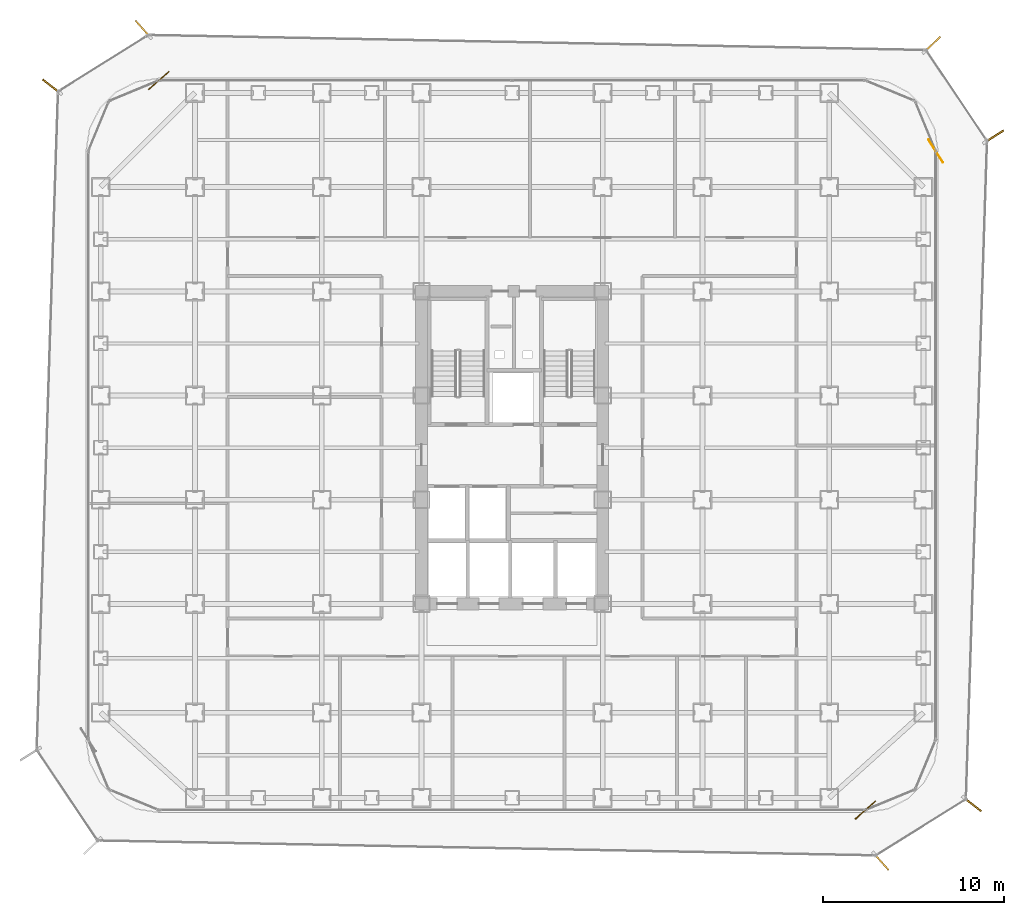
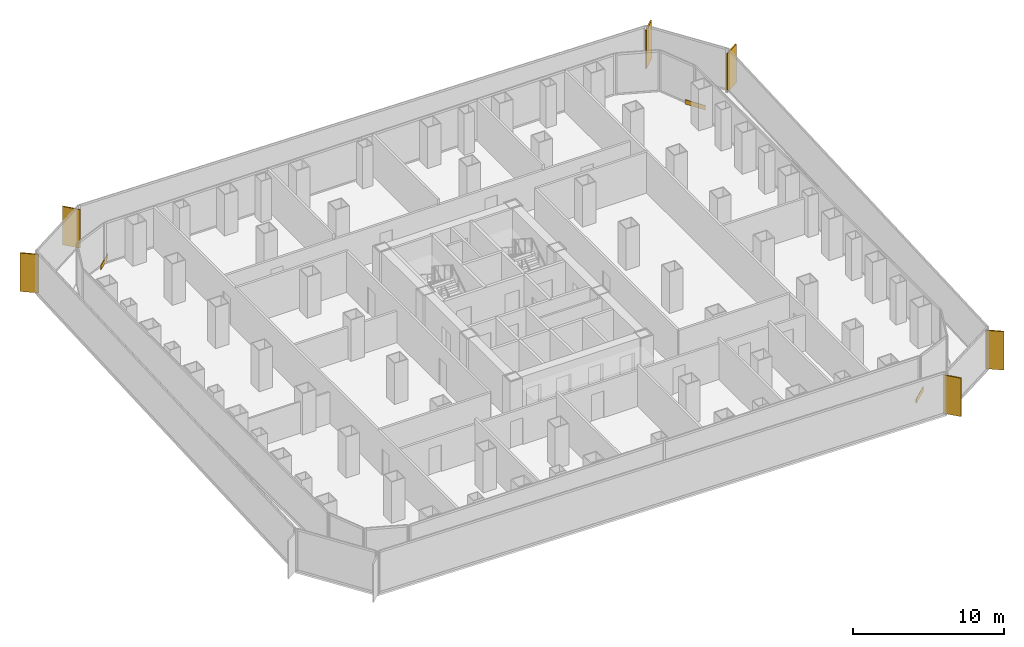
# One storey, part 22 of 22: 6 shading devices, 3 coverings.
"""IFC4 building model written with IfcOpenShell, lengths in metres."""

from ifc_helpers import new_model, si_unit, direction, frame, origin, origin_2d, place, context, subcontext, project, spatial, rectangle, extrude, source, transform, mapped, material, layer, layer_set, type_object, element, save


model = new_model("IFC4")

# Units and contexts
model_context = context("Model", 3, precision=1e-05, world=origin(), true_north=direction((0.0, 1.0)))
body_context = subcontext(model_context, "Body", "Model", "MODEL_VIEW")
ifc_project = project(units=[si_unit("LENGTHUNIT", "METRE"), si_unit("AREAUNIT", "SQUARE_METRE"), si_unit("VOLUMEUNIT", "CUBIC_METRE"), si_unit("PLANEANGLEUNIT", "RADIAN"), si_unit("MASSUNIT", "GRAM", prefix="KILO")], contexts=[model_context])

# Site, building, storey
site_placement = place(None, origin())
site = spatial("IfcSite", under=ifc_project, at=site_placement, CompositionType="ELEMENT")
building_placement = place(site_placement, origin())
building = spatial("IfcBuilding", under=site, at=building_placement, Name="Kolveth Station Tower", CompositionType="ELEMENT")
storey_placement = place(building_placement, frame((0.0, 0.0, 69.300048828125)))
storey = spatial("IfcBuildingStorey", under=building, at=storey_placement, Name="L18", CompositionType="ELEMENT", Elevation=69.300048828125)

# Shading devices
ifc_material_1 = material(Name="Black anodized aluminium 6063-T6", Category="aluminium")
shading_device_type = type_object("IfcShadingDeviceType", Name="FIN_VF1", PredefinedType="USERDEFINED", material=ifc_material_1)
shared_shape_1 = source(origin(), body_context, "Body", "SweptSolid", [
    extrude(rectangle(XDim=1.25, YDim=0.090087890625, at=origin_2d()), origin(), (0.0, 0.0, 1.0), 3.10009765625),
])
for number, where, z_axis, x_axis, name in (
    (1, (43.865966796875, -2.719970703125, 0.0), (0.0, 0.0, 1.0), (0.663403989347, -0.748261416163, 0.0), "L18 Dark-Aluminium Solar Fin 1"),
    (2, (48.906005859375, 0.447021484375, 0.0), (0.0, 0.0, 1.0), (0.788655040603, -0.614835934971, 0.0), "L18 Dark-Aluminium Solar Fin 2"),
    (3, (50.095947265625, 37.29296875, 0.0), (0.0, 0.0, 1.0), (0.841981910079, 0.539505758171, 0.0), "L18 Dark-Aluminium Solar Fin 3"),
    (4, (46.680908203125, 42.368896484375, 0.0), (0.0, 0.0, 1.0), (0.7234492966, 0.690377516471, 0.0), "L18 Dark-Aluminium Solar Fin 4"),
    (5, (3.133056640625, 43.22607421875, 0.0), (0.0, 0.0, 1.0), (-0.663403989347, 0.748261416163, 0.0), "L18 Dark-Aluminium Solar Fin 5"),
    (6, (-1.904052734375, 40.052001953125, 0.0), (0.0, 0.0, 1.0), (-0.788655040603, 0.614835934971, 0.0), "L18 Dark-Aluminium Solar Fin 6"),
):
    element("IfcShadingDevice", number, at=place(storey_placement, frame(where, z_axis=z_axis, x_axis=x_axis)), inside=storey, type_object=shading_device_type, Name=name, ObjectType="FIN", PredefinedType="USERDEFINED", context=body_context, shape_type="MappedRepresentation", body=[
        mapped(shared_shape_1, transform((0.0, 0.0, 0.0), x_axis=(1.0, 0.0, 0.0), y_axis=(0.0, 1.0, 0.0), z_axis=(0.0, 0.0, 1.0), scale=1.0)),
    ])

# Coverings
ifc_material_2 = material(Name="Charcoal anodized aluminium spandrel cladding", Category="aluminium")
ifc_layer = layer(ifc_material_2, 0.044921875)
ifc_layer_set = layer_set([ifc_layer], Name="Charcoal anodized aluminium spandrel cladding")
covering_type = type_object("IfcCoveringType", Name="Clad_CD1", PredefinedType="CLADDING", material=ifc_layer_set)
shared_shape_2 = source(origin(), body_context, "Body", "SweptSolid", [
    extrude(rectangle(XDim=1.5, YDim=0.044921875, at=origin_2d()), origin(), (0.0, 0.0, 1.0), 0.360107421875),
])
for number, where, z_axis, x_axis, name in (
    (7, (43.0, 0.1201171875, 0.0), (0.0, 0.0, 1.0), (0.748261416163, 0.663403989347, 0.0), "L18 Spandrel Edge Cladding 1"),
    (8, (46.8798828125, 36.5, 0.0), (0.0, 0.0, 1.0), (-0.539505758171, 0.841981910079, 0.0), "L18 Spandrel Edge Cladding 3"),
    (9, (4.0, 40.3798828125, 0.0), (0.0, 0.0, 1.0), (-0.748261416163, -0.663403989347, 0.0), "L18 Spandrel Edge Cladding 5"),
):
    element("IfcCovering", number, at=place(storey_placement, frame(where, z_axis=z_axis, x_axis=x_axis)), inside=storey, type_object=covering_type, Name=name, PredefinedType="CLADDING", context=body_context, shape_type="MappedRepresentation", body=[
        mapped(shared_shape_2, transform((0.0, 0.0, 0.0), x_axis=(1.0, 0.0, 0.0), y_axis=(0.0, 1.0, 0.0), z_axis=(0.0, 0.0, 1.0), scale=1.0)),
    ])

save(model, "model.ifc")
